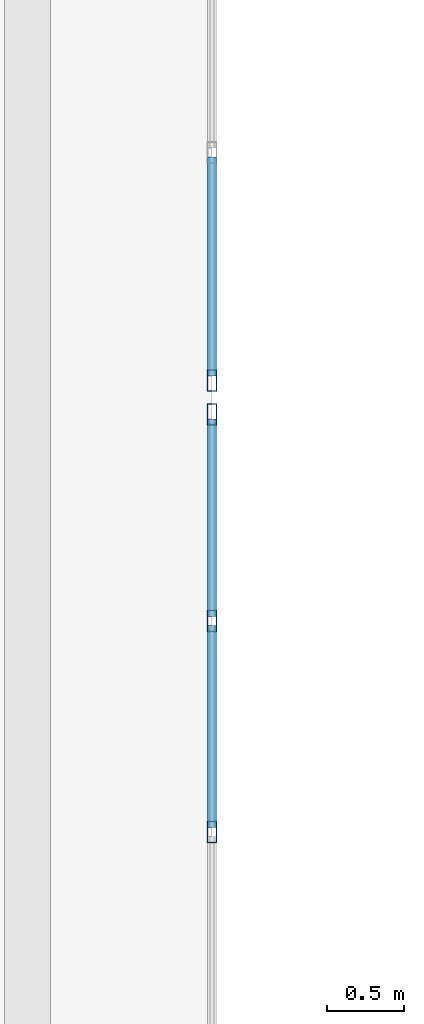
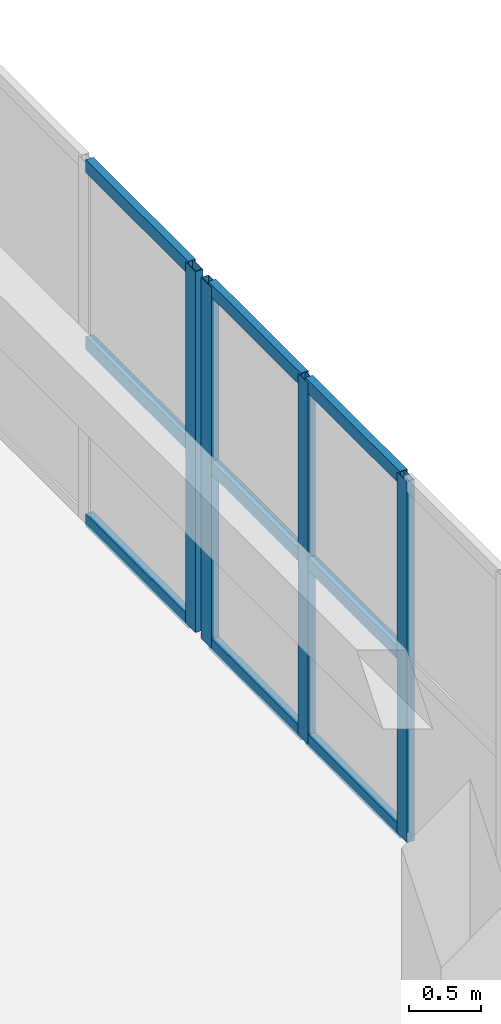
# One storey, part 47 of 148: 13 members, 2 elements without a shape of their own.
"""IFC4 building model written with IfcOpenShell, lengths in metres."""

from ifc_helpers import new_model, si_unit, direction, frame, origin, origin_2d, place, context, subcontext, project, spatial, hollow_rectangle, extrude, material, layer, layer_set, material_profile, profile_set, type_object, element, aggregate, save


model = new_model("IFC4")

# Units and contexts
model_context = context("Model", 3, precision=1e-05, world=origin(), true_north=direction((0.0, 1.0)))
body_context = subcontext(model_context, "Body", "Model", "MODEL_VIEW")
ifc_project = project(units=[si_unit("LENGTHUNIT", "METRE"), si_unit("AREAUNIT", "SQUARE_METRE"), si_unit("VOLUMEUNIT", "CUBIC_METRE"), si_unit("PLANEANGLEUNIT", "RADIAN"), si_unit("MASSUNIT", "GRAM", prefix="KILO")], contexts=[model_context])

# Site, building, storey
site_placement = place(None, origin())
site = spatial("IfcSite", under=ifc_project, at=site_placement, CompositionType="ELEMENT")
building_placement = place(site_placement, origin())
building = spatial("IfcBuilding", under=site, at=building_placement, Name="Trelvath General Hospital", CompositionType="ELEMENT")
storey_placement = place(building_placement, frame((0.0, 0.0, 12.89990234375)))
storey = spatial("IfcBuildingStorey", under=building, at=storey_placement, Name="L03", CompositionType="ELEMENT", Elevation=12.89990234375)

# Curtain wall, members
ifc_material_1 = material(Name="Anodised aluminium and low-E glass", Category="aluminium")
ifc_layer_1 = layer(ifc_material_1, 0.14990234375)
ifc_layer_set_1 = layer_set([ifc_layer_1], Name="Anodised aluminium and low-E glass")
curtain_wall_type_1 = type_object("IfcCurtainWallType", Name="CW CrystalCube 824 306 15", PredefinedType="USERDEFINED", material=ifc_layer_set_1)
curtain_wall_1_placement = place(storey_placement, origin())
curtain_wall_1 = element("IfcCurtainWall", 1, at=curtain_wall_1_placement, inside=storey, type_object=curtain_wall_type_1, Name="Crystal Cube Curtain Wall CUBE-E-T1 E2 L03", ObjectType="Unitised Glazed Curtain Wall", PredefinedType="USERDEFINED")
ifc_material_2 = material(Name="Anodised aluminium", Category="aluminium")
ifc_material_profile_1 = material_profile(ifc_material_2, hollow_rectangle(XDim=0.06005859375, YDim=0.139892578125, WallThickness=0.00390625, at=origin_2d()), Name="RHS60x140x4")
ifc_profile_set_1 = profile_set([ifc_material_profile_1], Name="Anodised aluminium")
member_type_1 = type_object("IfcMemberType", Name="CurtainMullion 60x140", PredefinedType="MULLION", material=ifc_profile_set_1)
member_1_placement = place(storey_placement, frame((114.800048828125, 50.2900390625, 0.0), z_axis=(0.0, 0.0, 1.0), x_axis=(1.0, 0.0, 0.0)))
member_1 = element("IfcMember", 2, at=member_1_placement, type_object=member_type_1, Name="CW-252 mullion 1", PredefinedType="MULLION", context=body_context, shape_type="SweptSolid", body=[
    extrude(hollow_rectangle(XDim=0.06005859375, YDim=0.139892578125, WallThickness=0.00390625, at=origin_2d()), origin(), (0.0, 0.0, 1.0), 3.06005859375),
])
member_2_placement = place(storey_placement, frame((114.800048828125, 48.94677734375, 0.0), z_axis=(0.0, 0.0, 1.0), x_axis=(1.0, 0.0, 0.0)))
member_2 = element("IfcMember", 3, at=member_2_placement, type_object=member_type_1, Name="CW-252 mullion 2", PredefinedType="MULLION", context=body_context, shape_type="SweptSolid", body=[
    extrude(hollow_rectangle(XDim=0.06005859375, YDim=0.139892578125, WallThickness=0.00390625, at=origin_2d()), origin(), (0.0, 0.0, 1.0), 3.06005859375),
])
member_3_placement = place(storey_placement, frame((114.800048828125, 47.5732421875, 0.0), z_axis=(0.0, 0.0, 1.0), x_axis=(1.0, 0.0, 0.0)))
member_3 = element("IfcMember", 4, at=member_3_placement, type_object=member_type_1, Name="CW-252 mullion 3", PredefinedType="MULLION", context=body_context, shape_type="SweptSolid", body=[
    extrude(hollow_rectangle(XDim=0.06005859375, YDim=0.139892578125, WallThickness=0.00390625, at=origin_2d()), origin(), (0.0, 0.0, 1.0), 3.06005859375),
])

# Curtain wall, member
ifc_material_3 = material(Name="Anodised aluminium and low-E glass", Category="aluminium")
ifc_layer_2 = layer(ifc_material_3, 0.14990234375)
ifc_layer_set_2 = layer_set([ifc_layer_2], Name="Anodised aluminium and low-E glass")
curtain_wall_type_2 = type_object("IfcCurtainWallType", Name="CW CrystalCube 1664 306 15", PredefinedType="USERDEFINED", material=ifc_layer_set_2)
curtain_wall_2_placement = place(storey_placement, origin())
curtain_wall_2 = element("IfcCurtainWall", 5, at=curtain_wall_2_placement, inside=storey, type_object=curtain_wall_type_2, Name="Crystal Cube Curtain Wall CUBE-E-T1 E3 L03", ObjectType="Unitised Glazed Curtain Wall", PredefinedType="USERDEFINED")
member_4_placement = place(storey_placement, frame((114.800048828125, 50.510009765625, 0.0), z_axis=(0.0, 0.0, 1.0), x_axis=(1.0, 0.0, 0.0)))
member_4 = element("IfcMember", 6, at=member_4_placement, type_object=member_type_1, Name="CW-253 mullion 12", PredefinedType="MULLION", context=body_context, shape_type="SweptSolid", body=[
    extrude(hollow_rectangle(XDim=0.06005859375, YDim=0.139892578125, WallThickness=0.00390625, at=origin_2d()), origin(), (0.0, 0.0, 1.0), 3.06005859375),
])

# Member
ifc_material_4 = material(Name="Anodised aluminium", Category="aluminium")
ifc_material_profile_2 = material_profile(ifc_material_4, hollow_rectangle(XDim=0.06005859375, YDim=0.110107421875, WallThickness=0.00390625, at=origin_2d()), Name="RHS60x110x4")
ifc_profile_set_2 = profile_set([ifc_material_profile_2], Name="Anodised aluminium")
member_type_2 = type_object("IfcMemberType", Name="CurtainTransom 60x110", PredefinedType="USERDEFINED", material=ifc_profile_set_2)
member_5_placement = place(storey_placement, frame((114.800048828125, 50.260009765625, 0.030029296875), z_axis=(0.0, -1.0, 0.0), x_axis=(1.0, 0.0, 0.0)))
member_5 = element("IfcMember", 7, at=member_5_placement, type_object=member_type_2, Name="CW-252 transom 1.1", ObjectType="TRANSOM", PredefinedType="USERDEFINED", context=body_context, shape_type="SweptSolid", body=[
    extrude(hollow_rectangle(XDim=0.06005859375, YDim=0.110107421875, WallThickness=0.00390625, at=origin_2d()), origin(), (0.0, 0.0, 1.0), 1.283447265625),
])

member_6_placement = place(storey_placement, frame((114.800048828125, 50.260009765625, 1.530029296875), z_axis=(0.0, -1.0, 0.0), x_axis=(1.0, 0.0, 0.0)))
member_6 = element("IfcMember", 8, at=member_6_placement, type_object=member_type_2, Name="CW-252 transom 1.2", ObjectType="TRANSOM", PredefinedType="USERDEFINED", context=body_context, shape_type="SweptSolid", body=[
    extrude(hollow_rectangle(XDim=0.06005859375, YDim=0.110107421875, WallThickness=0.00390625, at=origin_2d()), origin(), (0.0, 0.0, 1.0), 1.283447265625),
])

member_7_placement = place(storey_placement, frame((114.800048828125, 50.260009765625, 3.030029296875), z_axis=(0.0, -1.0, 0.0), x_axis=(1.0, 0.0, 0.0)))
member_7 = element("IfcMember", 9, at=member_7_placement, type_object=member_type_2, Name="CW-252 transom 1.3", ObjectType="TRANSOM", PredefinedType="USERDEFINED", context=body_context, shape_type="SweptSolid", body=[
    extrude(hollow_rectangle(XDim=0.06005859375, YDim=0.110107421875, WallThickness=0.00390625, at=origin_2d()), origin(), (0.0, 0.0, 1.0), 1.283447265625),
])

member_8_placement = place(storey_placement, frame((114.800048828125, 48.916748046875, 0.030029296875), z_axis=(0.0, -1.0, 0.0), x_axis=(1.0, 0.0, 0.0)))
member_8 = element("IfcMember", 10, at=member_8_placement, type_object=member_type_2, Name="CW-252 transom 2.1", ObjectType="TRANSOM", PredefinedType="USERDEFINED", context=body_context, shape_type="SweptSolid", body=[
    extrude(hollow_rectangle(XDim=0.06005859375, YDim=0.110107421875, WallThickness=0.00390625, at=origin_2d()), origin(), (0.0, 0.0, 1.0), 1.3134765625),
])

member_9_placement = place(storey_placement, frame((114.800048828125, 48.916748046875, 1.530029296875), z_axis=(0.0, -1.0, 0.0), x_axis=(1.0, 0.0, 0.0)))
member_9 = element("IfcMember", 11, at=member_9_placement, type_object=member_type_2, Name="CW-252 transom 2.2", ObjectType="TRANSOM", PredefinedType="USERDEFINED", context=body_context, shape_type="SweptSolid", body=[
    extrude(hollow_rectangle(XDim=0.06005859375, YDim=0.110107421875, WallThickness=0.00390625, at=origin_2d()), origin(), (0.0, 0.0, 1.0), 1.3134765625),
])

member_10_placement = place(storey_placement, frame((114.800048828125, 48.916748046875, 3.030029296875), z_axis=(0.0, -1.0, 0.0), x_axis=(1.0, 0.0, 0.0)))
member_10 = element("IfcMember", 12, at=member_10_placement, type_object=member_type_2, Name="CW-252 transom 2.3", ObjectType="TRANSOM", PredefinedType="USERDEFINED", context=body_context, shape_type="SweptSolid", body=[
    extrude(hollow_rectangle(XDim=0.06005859375, YDim=0.110107421875, WallThickness=0.00390625, at=origin_2d()), origin(), (0.0, 0.0, 1.0), 1.3134765625),
])

aggregate(curtain_wall_1, [member_1, member_2, member_3, member_5, member_6, member_7, member_8, member_9, member_10])

member_11_placement = place(storey_placement, frame((114.800048828125, 51.962646484375, 0.030029296875), z_axis=(0.0, -1.0, 0.0), x_axis=(1.0, 0.0, 0.0)))
member_11 = element("IfcMember", 13, at=member_11_placement, type_object=member_type_2, Name="CW-253 transom 11.1", ObjectType="TRANSOM", PredefinedType="USERDEFINED", context=body_context, shape_type="SweptSolid", body=[
    extrude(hollow_rectangle(XDim=0.06005859375, YDim=0.110107421875, WallThickness=0.00390625, at=origin_2d()), origin(), (0.0, 0.0, 1.0), 1.422607421875),
])

member_12_placement = place(storey_placement, frame((114.800048828125, 51.962646484375, 1.530029296875), z_axis=(0.0, -1.0, 0.0), x_axis=(1.0, 0.0, 0.0)))
member_12 = element("IfcMember", 14, at=member_12_placement, type_object=member_type_2, Name="CW-253 transom 11.2", ObjectType="TRANSOM", PredefinedType="USERDEFINED", context=body_context, shape_type="SweptSolid", body=[
    extrude(hollow_rectangle(XDim=0.06005859375, YDim=0.110107421875, WallThickness=0.00390625, at=origin_2d()), origin(), (0.0, 0.0, 1.0), 1.422607421875),
])

member_13_placement = place(storey_placement, frame((114.800048828125, 51.962646484375, 3.030029296875), z_axis=(0.0, -1.0, 0.0), x_axis=(1.0, 0.0, 0.0)))
member_13 = element("IfcMember", 15, at=member_13_placement, type_object=member_type_2, Name="CW-253 transom 11.3", ObjectType="TRANSOM", PredefinedType="USERDEFINED", context=body_context, shape_type="SweptSolid", body=[
    extrude(hollow_rectangle(XDim=0.06005859375, YDim=0.110107421875, WallThickness=0.00390625, at=origin_2d()), origin(), (0.0, 0.0, 1.0), 1.422607421875),
])

aggregate(curtain_wall_2, [member_4, member_11, member_12, member_13])

save(model, "model.ifc")
